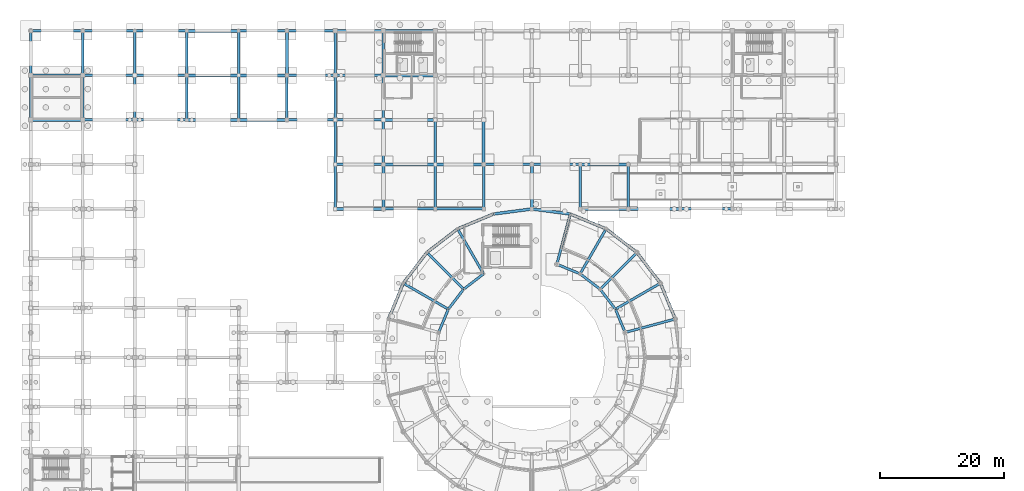
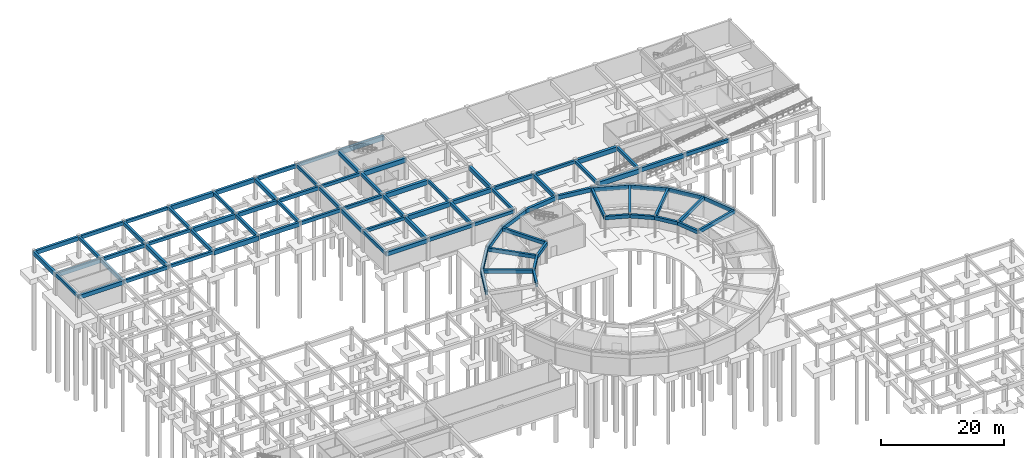
# One storey, part 26 of 43: 88 beams.
"""IFC4 building model written with IfcOpenShell, lengths in metres."""

import ifcopenshell
import ifcopenshell.guid

model = None  # the IFC model being written
_history = None  # IfcOwnerHistory: only IFC2X3 demands one
_inside = {}  # id of a spatial element -> (the spatial element, [elements in it])
_under = {}  # id of a project, library or spatial element -> (it, [spatial elements below it])
_declared = {}  # id of a project -> (the project, [libraries it declares])
_typed = {}  # id of a type object -> (the type object, [elements of that type])
_made_of = {}  # id of a material, layer set ... -> (it, [elements and type objects made of it])


def new_model(schema):
    """Start an empty IFC model of exactly this schema.

    Asked for "IFC4X3", IfcOpenShell would pick the latest addendum, in which some entities
    have other attributes; the version numbers below select the first issue.
    IFC2X3 requires an IfcOwnerHistory on every rooted entity: one is made here for all.
    """
    global model, _history
    if schema == "IFC4X3":
        model = ifcopenshell.file(schema_version=(4, 3, 0, 0))
    else:
        model = ifcopenshell.file(schema=schema)
    _inside.clear()
    _under.clear()
    _declared.clear()
    _typed.clear()
    _made_of.clear()
    _history = None
    if model.schema == "IFC2X3":
        org = make("IfcOrganization", Name="unknown")
        user = make(
            "IfcPersonAndOrganization",
            ThePerson=make("IfcPerson", FamilyName="unknown"),
            TheOrganization=org,
        )
        app = make(
            "IfcApplication",
            ApplicationDeveloper=org,
            Version="unknown",
            ApplicationFullName="unknown",
            ApplicationIdentifier="unknown",
        )
        _history = make(
            "IfcOwnerHistory",
            OwningUser=user,
            OwningApplication=app,
            ChangeAction="ADDED",
            CreationDate=0,
        )
    return model


def make(cls, **values):
    """One entity of the class cls with the attributes given. An attribute that is None is left unset."""
    return model.create_entity(
        cls, **{name: value for name, value in values.items() if value is not None}
    )


def rooted(cls, **values):
    """An entity with a GlobalId (a new one), such as an element, a storey or a relation."""
    return make(cls, GlobalId=ifcopenshell.guid.new(), OwnerHistory=_history, **values)


def si_unit(unit_type, name, prefix=None):
    """IfcSIUnit, for example si_unit("LENGTHUNIT", "METRE", prefix="MILLI")."""
    return make("IfcSIUnit", UnitType=unit_type, Prefix=prefix, Name=name)


def derived_unit(unit_type, elements):
    """IfcDerivedUnit: a product of units, each with its exponent."""
    return make(
        "IfcDerivedUnit",
        Elements=[
            make("IfcDerivedUnitElement", Unit=unit, Exponent=power)
            for unit, power in elements
        ],
        UnitType=unit_type,
    )


def assignment(units):
    """IfcUnitAssignment: the units of a project."""
    return None if units is None else make("IfcUnitAssignment", Units=units)


def point(xyz):
    """IfcCartesianPoint."""
    return None if xyz is None else make("IfcCartesianPoint", Coordinates=xyz)


def direction(xyz):
    """IfcDirection."""
    return None if xyz is None else make("IfcDirection", DirectionRatios=xyz)


def frame(location, z_axis=None, x_axis=None):
    """IfcAxis2Placement3D, a coordinate frame: its origin and axes. An axis left out is left unset."""
    return make(
        "IfcAxis2Placement3D",
        Location=point(location),
        Axis=direction(z_axis),
        RefDirection=direction(x_axis),
    )


def frame_2d(location, x_axis=None):
    """IfcAxis2Placement2D, a coordinate frame in the plane: its origin and x axis."""
    return make(
        "IfcAxis2Placement2D", Location=point(location), RefDirection=direction(x_axis)
    )


def origin():
    """The frame at (0, 0, 0) with its axes left unset."""
    return frame((0.0, 0.0, 0.0))


def origin_2d():
    """The frame at (0, 0) in the plane with its x axis left unset."""
    return frame_2d((0.0, 0.0))


def place(relative_to, where):
    """IfcLocalPlacement: puts the frame where relative to a parent placement (None: the world)."""
    return make(
        "IfcLocalPlacement", PlacementRelTo=relative_to, RelativePlacement=where
    )


def context(
    kind, dimensions, precision=None, world=None, true_north=None, identifier=None
):
    """IfcGeometricRepresentationContext, for example the 3D "Model" context."""
    return make(
        "IfcGeometricRepresentationContext",
        ContextIdentifier=identifier,
        ContextType=kind,
        CoordinateSpaceDimension=dimensions,
        Precision=precision,
        WorldCoordinateSystem=world,
        TrueNorth=true_north,
    )


def subcontext(parent, identifier, kind, view, scale=None):
    """IfcGeometricRepresentationSubContext, for example "Body" below "Model"."""
    return make(
        "IfcGeometricRepresentationSubContext",
        ContextIdentifier=identifier,
        ContextType=kind,
        ParentContext=parent,
        TargetScale=scale,
        TargetView=view,
    )


def project(units=None, contexts=None):
    """IfcProject with its units and contexts."""
    return rooted(
        "IfcProject",
        Name="project",
        RepresentationContexts=contexts,
        UnitsInContext=assignment(units),
    )


def spatial(cls, under=None, at=None, **own):
    """A site, building, storey or space (cls), placed at a placement, below another one or the project."""
    s = rooted(cls, ObjectPlacement=at, **own)
    if under is not None:
        _under.setdefault(under.id(), (under, []))[1].append(s)
    return s


def profile(cls, at=None, kind="AREA", **sizes):
    """A parametric profile (cls). Its sizes go by their IFC names, for example OverallWidth=200.0."""
    return make(cls, ProfileType=kind, Position=at, **sizes)


def rectangle(**sizes):
    """IfcRectangleProfileDef."""
    return profile("IfcRectangleProfileDef", **sizes)


def extrude(swept, where, along, depth):
    """IfcExtrudedAreaSolid: the profile swept, set in the frame where, extruded along a direction by depth."""
    return make(
        "IfcExtrudedAreaSolid",
        SweptArea=swept,
        Position=where,
        ExtrudedDirection=direction(along),
        Depth=depth,
    )


def shape(context_of_items, identifier, shape_type, items):
    """IfcShapeRepresentation: the items that make up one representation, for example the "Body"."""
    return make(
        "IfcShapeRepresentation",
        ContextOfItems=context_of_items,
        RepresentationIdentifier=identifier,
        RepresentationType=shape_type,
        Items=items,
    )


def material(Name=None, Category=None):
    """IfcMaterial."""
    return make("IfcMaterial", Name=Name, Category=Category)


def material_profile(
    of_material, cross_section, Name=None, Category=None, Priority=None
):
    """IfcMaterialProfile: a cross section and its material."""
    return make(
        "IfcMaterialProfile",
        Name=Name,
        Material=of_material,
        Profile=cross_section,
        Priority=Priority,
        Category=Category,
    )


def profile_set(profiles, Name=None, composite=None):
    """IfcMaterialProfileSet."""
    return make(
        "IfcMaterialProfileSet",
        Name=Name,
        MaterialProfiles=profiles,
        CompositeProfile=composite,
    )


def made_of(thing, what):
    """Note that an element or type object is made of a material, layer set ...; save() writes the relation."""
    if what is not None:
        _made_of.setdefault(what.id(), (what, []))[1].append(thing)
    return thing


def type_object(cls, material=None, **own):
    """A type object (cls), such as IfcWallType, which elements share."""
    return made_of(rooted(cls, **own), material)


def element(
    cls,
    number,
    at=None,
    inside=None,
    cuts=None,
    type_object=None,
    material=None,
    context=None,
    identifier="Body",
    shape_type=None,
    held_by="IfcProductDefinitionShape",
    body=None,
    shapes=None,
    **own,
):
    """One element of the class cls, such as IfcWall. Its Tag is "e" and its number.

    at: its placement. inside: the storey or other place that contains it. cuts: it is an
    opening in that element (IfcRelVoidsElement). A single representation is given by context,
    identifier, shape_type and body (its items); several are given by shapes. held_by: the class
    of the entity that holds the representations. save() writes the other relations.
    """
    e = rooted(cls, Tag="e%d" % number, ObjectPlacement=at, **own)
    if body is not None:
        shapes = [shape(context, identifier, shape_type, body)]
    if shapes is not None:
        e.Representation = make(held_by, Representations=shapes)
    if inside is not None:
        _inside.setdefault(inside.id(), (inside, []))[1].append(e)
    if cuts is not None:
        rooted(
            "IfcRelVoidsElement", RelatingBuildingElement=cuts, RelatedOpeningElement=e
        )
    if type_object is not None:
        _typed.setdefault(type_object.id(), (type_object, []))[1].append(e)
    return made_of(e, material)


def aggregate(whole, parts):
    """IfcRelAggregates: a whole, such as a stair, and the parts it consists of."""
    return rooted("IfcRelAggregates", RelatingObject=whole, RelatedObjects=parts)


def save(model, path):
    """Write the relations noted so far, then the file.

    IfcRelAggregates (storeys below a building ...), IfcRelContainedInSpatialStructure (elements
    in a storey), IfcRelDefinesByType, IfcRelAssociatesMaterial and IfcRelDeclares: one each for
    every whole, place, type object, material and project.
    """
    for whole, parts in _under.values():
        aggregate(whole, parts)
    for where, things in _inside.values():
        rooted(
            "IfcRelContainedInSpatialStructure",
            RelatedElements=things,
            RelatingStructure=where,
        )
    for kind, things in _typed.values():
        rooted("IfcRelDefinesByType", RelatedObjects=things, RelatingType=kind)
    for what, things in _made_of.values():
        rooted("IfcRelAssociatesMaterial", RelatedObjects=things, RelatingMaterial=what)
    for by, libraries in _declared.values():
        rooted("IfcRelDeclares", RelatingContext=by, RelatedDefinitions=libraries)
    model.write(path)


model = new_model("IFC4")

# Units and contexts
model_context = context("Model", 3, precision=1e-05, world=origin(), true_north=direction((0.0, 1.0)))
body_context = subcontext(model_context, "Body", "Model", "MODEL_VIEW")
ifc_project = project(units=[si_unit("LENGTHUNIT", "METRE"), si_unit("AREAUNIT", "SQUARE_METRE"), si_unit("VOLUMEUNIT", "CUBIC_METRE"), si_unit("PLANEANGLEUNIT", "RADIAN"), si_unit("MASSUNIT", "GRAM", prefix="KILO"), derived_unit("THERMALTRANSMITTANCEUNIT", [(si_unit("POWERUNIT", "WATT"), 1), (si_unit("AREAUNIT", "SQUARE_METRE"), -1), (si_unit("THERMODYNAMICTEMPERATUREUNIT", "KELVIN"), -1)])], contexts=[model_context])

# Site, building, storey
site_placement = place(None, origin())
site = spatial("IfcSite", under=ifc_project, at=site_placement, CompositionType="ELEMENT")
building_placement = place(site_placement, origin())
building = spatial("IfcBuilding", under=site, at=building_placement, Name="Yasenodar Specialist Clinic", CompositionType="ELEMENT")
storey_placement = place(building_placement, frame((0.0, 0.0, -4.5)))
storey = spatial("IfcBuildingStorey", under=building, at=storey_placement, Name="B1", CompositionType="ELEMENT", Elevation=-4.5)

# Beams
ifc_material = material(Name="Concrete C35/45", Category="concrete")
ifc_material_profile_1 = material_profile(ifc_material, rectangle(XDim=0.39990234375, YDim=0.60009765625, at=origin_2d()), Name="RC 400x600")
ifc_profile_set_1 = profile_set([ifc_material_profile_1], Name="Concrete C35/45")
beam_type_1 = type_object("IfcBeamType", Name="BM-RC-400x600", PredefinedType="BEAM", material=ifc_profile_set_1)
for number, where, z_axis, x_axis, name in (
    (1, (65.39990234375, 82.800048828125, 3.93505859375), (1.0, 0.0, 0.0), (0.0, 1.0, 0.0), "B1 Primary E-W Girder"),
    (2, (49.199951171875, 90.0, 3.93505859375), (1.0, 0.0, 0.0), (0.0, 1.0, 0.0), "B1 Primary E-W Girder"),
    (3, (81.0, 90.0, 3.93505859375), (1.0, 0.0, 0.0), (0.0, 1.0, 0.0), "B1 Primary E-W Girder"),
):
    element("IfcBeam", number, at=place(storey_placement, frame(where, z_axis=z_axis, x_axis=x_axis)), inside=storey, type_object=beam_type_1, Name=name, PredefinedType="BEAM", context=body_context, shape_type="SweptSolid", body=[
        extrude(rectangle(XDim=0.39990234375, YDim=0.60009765625, at=origin_2d()), origin(), (0.0, 0.0, 1.0), 7.800048828125),
    ])
beam_1_placement = place(storey_placement, frame((16.800048828125, 97.199951171875, 3.93505859375), z_axis=(1.0, 0.0, 0.0), x_axis=(0.0, 1.0, 0.0)))
element("IfcBeam", 4, at=beam_1_placement, inside=storey, type_object=beam_type_1, Name="B1 Primary E-W Girder", PredefinedType="BEAM", context=body_context, shape_type="SweptSolid", body=[
    extrude(rectangle(XDim=0.39990234375, YDim=0.60009765625, at=origin_2d()), origin(), (0.0, 0.0, 1.0), 8.39990234375),
])
beam_2_placement = place(storey_placement, frame((49.199951171875, 97.199951171875, 3.93505859375), z_axis=(1.0, 0.0, 0.0), x_axis=(0.0, 1.0, 0.0)))
element("IfcBeam", 5, at=beam_2_placement, inside=storey, type_object=beam_type_1, Name="B1 Primary E-W Girder", PredefinedType="BEAM", context=body_context, shape_type="SweptSolid", body=[
    extrude(rectangle(XDim=0.39990234375, YDim=0.60009765625, at=origin_2d()), origin(), (0.0, 0.0, 1.0), 7.800048828125),
])
beam_3_placement = place(storey_placement, frame((16.800048828125, 104.39990234375, 3.93505859375), z_axis=(1.0, 0.0, 0.0), x_axis=(0.0, 1.0, 0.0)))
element("IfcBeam", 6, at=beam_3_placement, inside=storey, type_object=beam_type_1, Name="B1 Primary E-W Girder", PredefinedType="BEAM", context=body_context, shape_type="SweptSolid", body=[
    extrude(rectangle(XDim=0.39990234375, YDim=0.60009765625, at=origin_2d()), origin(), (0.0, 0.0, 1.0), 8.39990234375),
])
beam_4_placement = place(storey_placement, frame((49.199951171875, 104.39990234375, 3.93505859375), z_axis=(1.0, 0.0, 0.0), x_axis=(0.0, 1.0, 0.0)))
element("IfcBeam", 7, at=beam_4_placement, inside=storey, type_object=beam_type_1, Name="B1 Primary E-W Girder", PredefinedType="BEAM", context=body_context, shape_type="SweptSolid", body=[
    extrude(rectangle(XDim=0.39990234375, YDim=0.60009765625, at=origin_2d()), origin(), (0.0, 0.0, 1.0), 7.800048828125),
])
beam_5_placement = place(storey_placement, frame((16.800048828125, 111.60009765625, 3.93505859375), z_axis=(1.0, 0.0, 0.0), x_axis=(0.0, 1.0, 0.0)))
element("IfcBeam", 8, at=beam_5_placement, inside=storey, type_object=beam_type_1, Name="B1 Primary E-W Girder", PredefinedType="BEAM", context=body_context, shape_type="SweptSolid", body=[
    extrude(rectangle(XDim=0.39990234375, YDim=0.60009765625, at=origin_2d()), origin(), (0.0, 0.0, 1.0), 8.39990234375),
])
beam_6_placement = place(storey_placement, frame((49.199951171875, 111.60009765625, 3.93505859375), z_axis=(1.0, 0.0, 0.0), x_axis=(0.0, 1.0, 0.0)))
element("IfcBeam", 9, at=beam_6_placement, inside=storey, type_object=beam_type_1, Name="B1 Primary E-W Girder", PredefinedType="BEAM", context=body_context, shape_type="SweptSolid", body=[
    extrude(rectangle(XDim=0.39990234375, YDim=0.60009765625, at=origin_2d()), origin(), (0.0, 0.0, 1.0), 7.800048828125),
])
beam_7_placement = place(storey_placement, frame((0.0, 97.199951171875, 3.93505859375), z_axis=(0.0, 1.0, 0.0), x_axis=(-1.0, 0.0, 0.0)))
element("IfcBeam", 10, at=beam_7_placement, inside=storey, type_object=beam_type_1, Name="B1 Primary N-S Girder", PredefinedType="BEAM", context=body_context, shape_type="SweptSolid", body=[
    extrude(rectangle(XDim=0.39990234375, YDim=0.60009765625, at=origin_2d()), origin(), (0.0, 0.0, 1.0), 7.199951171875),
])
for number, where, z_axis, x_axis, name in (
    (11, (8.39990234375, 104.39990234375, 3.93505859375), (0.0, 1.0, 0.0), (-1.0, 0.0, 0.0), "B1 Primary N-S Girder"),
    (12, (25.199951171875, 104.39990234375, 3.93505859375), (0.0, 1.0, 0.0), (-1.0, 0.0, 0.0), "B1 Primary N-S Girder"),
    (13, (33.60009765625, 104.39990234375, 3.93505859375), (0.0, 1.0, 0.0), (-1.0, 0.0, 0.0), "B1 Primary N-S Girder"),
):
    element("IfcBeam", number, at=place(storey_placement, frame(where, z_axis=z_axis, x_axis=x_axis)), inside=storey, type_object=beam_type_1, Name=name, PredefinedType="BEAM", context=body_context, shape_type="SweptSolid", body=[
        extrude(rectangle(XDim=0.39990234375, YDim=0.60009765625, at=origin_2d()), origin(), (0.0, 0.0, 1.0), 7.2001953125),
    ])
for number, where, z_axis, x_axis, name in (
    (14, (41.39990234375, 97.199951171875, 3.93505859375), (0.0, 1.0, 0.0), (-1.0, 0.0, 0.0), "B1 Primary N-S Girder"),
    (15, (49.199951171875, 82.800048828125, 3.93505859375), (0.0, 1.0, 0.0), (-1.0, 0.0, 0.0), "B1 Primary N-S Girder"),
):
    element("IfcBeam", number, at=place(storey_placement, frame(where, z_axis=z_axis, x_axis=x_axis)), inside=storey, type_object=beam_type_1, Name=name, PredefinedType="BEAM", context=body_context, shape_type="SweptSolid", body=[
        extrude(rectangle(XDim=0.39990234375, YDim=0.60009765625, at=origin_2d()), origin(), (0.0, 0.0, 1.0), 7.199951171875),
    ])
beam_8_placement = place(storey_placement, frame((49.199951171875, 104.39990234375, 3.93505859375), z_axis=(0.0, 1.0, 0.0), x_axis=(-1.0, 0.0, 0.0)))
element("IfcBeam", 16, at=beam_8_placement, inside=storey, type_object=beam_type_1, Name="B1 Primary N-S Girder", PredefinedType="BEAM", context=body_context, shape_type="SweptSolid", body=[
    extrude(rectangle(XDim=0.39990234375, YDim=0.60009765625, at=origin_2d()), origin(), (0.0, 0.0, 1.0), 7.2001953125),
])
for number, where, z_axis, x_axis, name in (
    (17, (57.0, 97.199951171875, 3.93505859375), (0.0, 1.0, 0.0), (-1.0, 0.0, 0.0), "B1 Primary N-S Girder"),
    (18, (65.39990234375, 90.0, 3.93505859375), (0.0, 1.0, 0.0), (-1.0, 0.0, 0.0), "B1 Primary N-S Girder"),
    (19, (73.199951171875, 82.800048828125, 3.93505859375), (0.0, 1.0, 0.0), (-1.0, 0.0, 0.0), "B1 Primary N-S Girder"),
    (20, (88.800048828125, 82.800048828125, 3.93505859375), (0.0, 1.0, 0.0), (-1.0, 0.0, 0.0), "B1 Primary N-S Girder"),
    (21, (96.60009765625, 82.800048828125, 3.93505859375), (0.0, 1.0, 0.0), (-1.0, 0.0, 0.0), "B1 Primary N-S Girder"),
):
    element("IfcBeam", number, at=place(storey_placement, frame(where, z_axis=z_axis, x_axis=x_axis)), inside=storey, type_object=beam_type_1, Name=name, PredefinedType="BEAM", context=body_context, shape_type="SweptSolid", body=[
        extrude(rectangle(XDim=0.39990234375, YDim=0.60009765625, at=origin_2d()), origin(), (0.0, 0.0, 1.0), 7.199951171875),
    ])
ifc_material_profile_2 = material_profile(ifc_material, rectangle(XDim=0.39990234375, YDim=0.699951171875, at=origin_2d()), Name="RC 400x700")
ifc_profile_set_2 = profile_set([ifc_material_profile_2], Name="Concrete C35/45")
beam_type_2 = type_object("IfcBeamType", Name="BM-RC-400x700", PredefinedType="BEAM", material=ifc_profile_set_2)
for number, where, z_axis, x_axis, name in (
    (22, (57.0, 82.800048828125, 3.885009765625), (1.0, 0.0, 0.0), (0.0, 1.0, 0.0), "B1 Primary E-W Girder"),
    (23, (105.0, 82.800048828125, 3.885009765625), (1.0, 0.0, 0.0), (0.0, 1.0, 0.0), "B1 Primary E-W Girder"),
):
    element("IfcBeam", number, at=place(storey_placement, frame(where, z_axis=z_axis, x_axis=x_axis)), inside=storey, type_object=beam_type_2, Name=name, PredefinedType="BEAM", context=body_context, shape_type="SweptSolid", body=[
        extrude(rectangle(XDim=0.39990234375, YDim=0.699951171875, at=origin_2d()), origin(), (0.0, 0.0, 1.0), 8.39990234375),
    ])
beam_9_placement = place(storey_placement, frame((73.199951171875, 90.0, 3.885009765625), z_axis=(1.0, 0.0, 0.0), x_axis=(0.0, 1.0, 0.0)))
element("IfcBeam", 24, at=beam_9_placement, inside=storey, type_object=beam_type_2, Name="B1 Primary E-W Girder", PredefinedType="BEAM", context=body_context, shape_type="SweptSolid", body=[
    extrude(rectangle(XDim=0.39990234375, YDim=0.699951171875, at=origin_2d()), origin(), (0.0, 0.0, 1.0), 7.800048828125),
])
beam_10_placement = place(storey_placement, frame((8.39990234375, 97.199951171875, 3.885009765625), z_axis=(1.0, 0.0, 0.0), x_axis=(0.0, 1.0, 0.0)))
element("IfcBeam", 25, at=beam_10_placement, inside=storey, type_object=beam_type_2, Name="B1 Primary E-W Girder", PredefinedType="BEAM", context=body_context, shape_type="SweptSolid", body=[
    extrude(rectangle(XDim=0.39990234375, YDim=0.699951171875, at=origin_2d()), origin(), (0.0, 0.0, 1.0), 8.400146484375),
])
beam_11_placement = place(storey_placement, frame((41.39990234375, 97.199951171875, 3.885009765625), z_axis=(1.0, 0.0, 0.0), x_axis=(0.0, 1.0, 0.0)))
element("IfcBeam", 26, at=beam_11_placement, inside=storey, type_object=beam_type_2, Name="B1 Primary E-W Girder", PredefinedType="BEAM", context=body_context, shape_type="SweptSolid", body=[
    extrude(rectangle(XDim=0.39990234375, YDim=0.699951171875, at=origin_2d()), origin(), (0.0, 0.0, 1.0), 7.800048828125),
])
beam_12_placement = place(storey_placement, frame((8.39990234375, 104.39990234375, 3.885009765625), z_axis=(1.0, 0.0, 0.0), x_axis=(0.0, 1.0, 0.0)))
element("IfcBeam", 27, at=beam_12_placement, inside=storey, type_object=beam_type_2, Name="B1 Primary E-W Girder", PredefinedType="BEAM", context=body_context, shape_type="SweptSolid", body=[
    extrude(rectangle(XDim=0.39990234375, YDim=0.699951171875, at=origin_2d()), origin(), (0.0, 0.0, 1.0), 8.400146484375),
])
beam_13_placement = place(storey_placement, frame((41.39990234375, 104.39990234375, 3.885009765625), z_axis=(1.0, 0.0, 0.0), x_axis=(0.0, 1.0, 0.0)))
element("IfcBeam", 28, at=beam_13_placement, inside=storey, type_object=beam_type_2, Name="B1 Primary E-W Girder", PredefinedType="BEAM", context=body_context, shape_type="SweptSolid", body=[
    extrude(rectangle(XDim=0.39990234375, YDim=0.699951171875, at=origin_2d()), origin(), (0.0, 0.0, 1.0), 7.800048828125),
])
beam_14_placement = place(storey_placement, frame((8.39990234375, 111.60009765625, 3.885009765625), z_axis=(1.0, 0.0, 0.0), x_axis=(0.0, 1.0, 0.0)))
element("IfcBeam", 29, at=beam_14_placement, inside=storey, type_object=beam_type_2, Name="B1 Primary E-W Girder", PredefinedType="BEAM", context=body_context, shape_type="SweptSolid", body=[
    extrude(rectangle(XDim=0.39990234375, YDim=0.699951171875, at=origin_2d()), origin(), (0.0, 0.0, 1.0), 8.400146484375),
])
beam_15_placement = place(storey_placement, frame((41.39990234375, 111.60009765625, 3.885009765625), z_axis=(1.0, 0.0, 0.0), x_axis=(0.0, 1.0, 0.0)))
element("IfcBeam", 30, at=beam_15_placement, inside=storey, type_object=beam_type_2, Name="B1 Primary E-W Girder", PredefinedType="BEAM", context=body_context, shape_type="SweptSolid", body=[
    extrude(rectangle(XDim=0.39990234375, YDim=0.699951171875, at=origin_2d()), origin(), (0.0, 0.0, 1.0), 7.800048828125),
])
beam_16_placement = place(storey_placement, frame((8.39990234375, 97.199951171875, 3.885009765625), z_axis=(0.0, 1.0, 0.0), x_axis=(-1.0, 0.0, 0.0)))
element("IfcBeam", 31, at=beam_16_placement, inside=storey, type_object=beam_type_2, Name="B1 Primary N-S Girder", PredefinedType="BEAM", context=body_context, shape_type="SweptSolid", body=[
    extrude(rectangle(XDim=0.39990234375, YDim=0.699951171875, at=origin_2d()), origin(), (0.0, 0.0, 1.0), 7.199951171875),
])
beam_17_placement = place(storey_placement, frame((16.800048828125, 104.39990234375, 3.885009765625), z_axis=(0.0, 1.0, 0.0), x_axis=(-1.0, 0.0, 0.0)))
element("IfcBeam", 32, at=beam_17_placement, inside=storey, type_object=beam_type_2, Name="B1 Primary N-S Girder", PredefinedType="BEAM", context=body_context, shape_type="SweptSolid", body=[
    extrude(rectangle(XDim=0.39990234375, YDim=0.699951171875, at=origin_2d()), origin(), (0.0, 0.0, 1.0), 7.2001953125),
])
for number, where, z_axis, x_axis, name in (
    (33, (25.199951171875, 97.199951171875, 3.885009765625), (0.0, 1.0, 0.0), (-1.0, 0.0, 0.0), "B1 Primary N-S Girder"),
    (34, (33.60009765625, 97.199951171875, 3.885009765625), (0.0, 1.0, 0.0), (-1.0, 0.0, 0.0), "B1 Primary N-S Girder"),
    (35, (49.199951171875, 97.199951171875, 3.885009765625), (0.0, 1.0, 0.0), (-1.0, 0.0, 0.0), "B1 Primary N-S Girder"),
    (36, (57.0, 90.0, 3.885009765625), (0.0, 1.0, 0.0), (-1.0, 0.0, 0.0), "B1 Primary N-S Girder"),
    (37, (65.39990234375, 82.800048828125, 3.885009765625), (0.0, 1.0, 0.0), (-1.0, 0.0, 0.0), "B1 Primary N-S Girder"),
):
    element("IfcBeam", number, at=place(storey_placement, frame(where, z_axis=z_axis, x_axis=x_axis)), inside=storey, type_object=beam_type_2, Name=name, PredefinedType="BEAM", context=body_context, shape_type="SweptSolid", body=[
        extrude(rectangle(XDim=0.39990234375, YDim=0.699951171875, at=origin_2d()), origin(), (0.0, 0.0, 1.0), 7.199951171875),
    ])
beam_18_placement = place(storey_placement, frame((96.068359375, 62.837646484375, 3.885009765625), z_axis=(-0.382660650645, 0.92388896868, 0.0), x_axis=(-0.92388896868, -0.382660650645, 0.0)))
element("IfcBeam", 38, at=beam_18_placement, inside=storey, type_object=beam_type_2, Name="B1 Drum V1 Inner Ring Beam", PredefinedType="BEAM", context=body_context, shape_type="SweptSolid", body=[
    extrude(rectangle(XDim=0.39990234375, YDim=0.699951171875, at=origin_2d()), origin(), (0.0, 0.0, 1.0), 4.072509765625),
])
beam_19_placement = place(storey_placement, frame((94.510009765625, 66.60009765625, 3.885009765625), z_axis=(-0.60875999388, 0.793354441502, 0.0), x_axis=(-0.793354441502, -0.60875999388, 0.0)))
element("IfcBeam", 39, at=beam_19_placement, inside=storey, type_object=beam_type_2, Name="B1 Drum V1 Inner Ring Beam", PredefinedType="BEAM", context=body_context, shape_type="SweptSolid", body=[
    extrude(rectangle(XDim=0.39990234375, YDim=0.699951171875, at=origin_2d()), origin(), (0.0, 0.0, 1.0), 4.072265625),
])
for number, where, z_axis, x_axis, name in (
    (40, (92.031005859375, 69.830810546875, 3.885009765625), (-0.793347704909, 0.608768773111, 0.0), (-0.608768773111, -0.793347704909, 0.0), "B1 Drum V1 Inner Ring Beam"),
    (41, (88.800048828125, 72.31005859375, 3.885009765625), (-0.92388896868, 0.382660650645, 0.0), (-0.382660650645, -0.92388896868, 0.0), "B1 Drum V1 Inner Ring Beam"),
    (42, (73.199951171875, 72.31005859375, 3.885009765625), (-0.793347704909, -0.608768773111, 0.0), (0.608768773111, -0.793347704909, 0.0), "B1 Drum V1 Inner Ring Beam"),
):
    element("IfcBeam", number, at=place(storey_placement, frame(where, z_axis=z_axis, x_axis=x_axis)), inside=storey, type_object=beam_type_2, Name=name, PredefinedType="BEAM", context=body_context, shape_type="SweptSolid", body=[
        extrude(rectangle(XDim=0.39990234375, YDim=0.699951171875, at=origin_2d()), origin(), (0.0, 0.0, 1.0), 4.072509765625),
    ])
beam_20_placement = place(storey_placement, frame((69.968994140625, 69.830810546875, 3.885009765625), z_axis=(-0.60875999388, -0.793354441502, 0.0), x_axis=(0.793354441502, -0.60875999388, 0.0)))
element("IfcBeam", 43, at=beam_20_placement, inside=storey, type_object=beam_type_2, Name="B1 Drum V1 Inner Ring Beam", PredefinedType="BEAM", context=body_context, shape_type="SweptSolid", body=[
    extrude(rectangle(XDim=0.39990234375, YDim=0.699951171875, at=origin_2d()), origin(), (0.0, 0.0, 1.0), 4.072265625),
])
beam_21_placement = place(storey_placement, frame((67.489990234375, 66.60009765625, 3.885009765625), z_axis=(-0.382660650645, -0.92388896868, 0.0), x_axis=(0.92388896868, -0.382660650645, 0.0)))
element("IfcBeam", 44, at=beam_21_placement, inside=storey, type_object=beam_type_2, Name="B1 Drum V1 Inner Ring Beam", PredefinedType="BEAM", context=body_context, shape_type="SweptSolid", body=[
    extrude(rectangle(XDim=0.39990234375, YDim=0.699951171875, at=origin_2d()), origin(), (0.0, 0.0, 1.0), 4.072509765625),
])
for number, where, z_axis, x_axis, name in (
    (45, (96.068359375, 62.837646484375, 3.885009765625), (0.965925996761, 0.258818408893, 0.0), (-0.258818408893, 0.965925996761, 0.0), "B1 Drum V1 Radial Beam"),
    (46, (94.510009765625, 66.60009765625, 3.885009765625), (0.86602925447, 0.499993330357, 0.0), (-0.499993330357, 0.86602925447, 0.0), "B1 Drum V1 Radial Beam"),
    (47, (92.031005859375, 69.830810546875, 3.885009765625), (0.707106781187, 0.707106781187, 0.0), (-0.707106781187, 0.707106781187, 0.0), "B1 Drum V1 Radial Beam"),
    (48, (88.800048828125, 72.31005859375, 3.885009765625), (0.499993330357, 0.86602925447, 0.0), (-0.86602925447, 0.499993330357, 0.0), "B1 Drum V1 Radial Beam"),
    (49, (85.03759765625, 73.868408203125, 3.885009765625), (0.258818408893, 0.965925996761, 0.0), (-0.965925996761, 0.258818408893, 0.0), "B1 Drum V1 Radial Beam"),
    (50, (73.199951171875, 72.31005859375, 3.885009765625), (-0.499993330357, 0.86602925447, 0.0), (-0.86602925447, -0.499993330357, 0.0), "B1 Drum V1 Radial Beam"),
    (51, (69.968994140625, 69.830810546875, 3.885009765625), (-0.707106781187, 0.707106781187, 0.0), (-0.707106781187, -0.707106781187, 0.0), "B1 Drum V1 Radial Beam"),
    (52, (67.489990234375, 66.60009765625, 3.885009765625), (-0.86602925447, 0.499993330357, 0.0), (-0.499993330357, -0.86602925447, 0.0), "B1 Drum V1 Radial Beam"),
):
    element("IfcBeam", number, at=place(storey_placement, frame(where, z_axis=z_axis, x_axis=x_axis)), inside=storey, type_object=beam_type_2, Name=name, PredefinedType="BEAM", context=body_context, shape_type="SweptSolid", body=[
        extrude(rectangle(XDim=0.39990234375, YDim=0.699951171875, at=origin_2d()), origin(), (0.0, 0.0, 1.0), 8.39990234375),
    ])
ifc_material_profile_3 = material_profile(ifc_material, rectangle(XDim=0.449951171875, YDim=0.800048828125, at=origin_2d()), Name="RC 450x800")
ifc_profile_set_3 = profile_set([ifc_material_profile_3], Name="Concrete C35/45")
beam_type_3 = type_object("IfcBeamType", Name="BM-RC-450x800", PredefinedType="BEAM", material=ifc_profile_set_3)
beam_22_placement = place(storey_placement, frame((49.199951171875, 82.800048828125, 3.8349609375), z_axis=(1.0, 0.0, 0.0), x_axis=(0.0, 1.0, 0.0)))
element("IfcBeam", 53, at=beam_22_placement, inside=storey, type_object=beam_type_3, Name="B1 Primary E-W Girder", PredefinedType="BEAM", context=body_context, shape_type="SweptSolid", body=[
    extrude(rectangle(XDim=0.449951171875, YDim=0.800048828125, at=origin_2d()), origin(), (0.0, 0.0, 1.0), 7.800048828125),
])
beam_23_placement = place(storey_placement, frame((96.60009765625, 82.800048828125, 3.8349609375), z_axis=(1.0, 0.0, 0.0), x_axis=(0.0, 1.0, 0.0)))
element("IfcBeam", 54, at=beam_23_placement, inside=storey, type_object=beam_type_3, Name="B1 Primary E-W Girder", PredefinedType="BEAM", context=body_context, shape_type="SweptSolid", body=[
    extrude(rectangle(XDim=0.449951171875, YDim=0.800048828125, at=origin_2d()), origin(), (0.0, 0.0, 1.0), 8.39990234375),
])
beam_24_placement = place(storey_placement, frame((65.39990234375, 90.0, 3.8349609375), z_axis=(1.0, 0.0, 0.0), x_axis=(0.0, 1.0, 0.0)))
element("IfcBeam", 55, at=beam_24_placement, inside=storey, type_object=beam_type_3, Name="B1 Primary E-W Girder", PredefinedType="BEAM", context=body_context, shape_type="SweptSolid", body=[
    extrude(rectangle(XDim=0.449951171875, YDim=0.800048828125, at=origin_2d()), origin(), (0.0, 0.0, 1.0), 7.800048828125),
])
beam_25_placement = place(storey_placement, frame((0.0, 97.199951171875, 3.8349609375), z_axis=(1.0, 0.0, 0.0), x_axis=(0.0, 1.0, 0.0)))
element("IfcBeam", 56, at=beam_25_placement, inside=storey, type_object=beam_type_3, Name="B1 Primary E-W Girder", PredefinedType="BEAM", context=body_context, shape_type="SweptSolid", body=[
    extrude(rectangle(XDim=0.449951171875, YDim=0.800048828125, at=origin_2d()), origin(), (0.0, 0.0, 1.0), 8.39990234375),
])
beam_26_placement = place(storey_placement, frame((33.60009765625, 97.199951171875, 3.8349609375), z_axis=(1.0, 0.0, 0.0), x_axis=(0.0, 1.0, 0.0)))
element("IfcBeam", 57, at=beam_26_placement, inside=storey, type_object=beam_type_3, Name="B1 Primary E-W Girder", PredefinedType="BEAM", context=body_context, shape_type="SweptSolid", body=[
    extrude(rectangle(XDim=0.449951171875, YDim=0.800048828125, at=origin_2d()), origin(), (0.0, 0.0, 1.0), 7.7998046875),
])
beam_27_placement = place(storey_placement, frame((0.0, 104.39990234375, 3.8349609375), z_axis=(1.0, 0.0, 0.0), x_axis=(0.0, 1.0, 0.0)))
element("IfcBeam", 58, at=beam_27_placement, inside=storey, type_object=beam_type_3, Name="B1 Primary E-W Girder", PredefinedType="BEAM", context=body_context, shape_type="SweptSolid", body=[
    extrude(rectangle(XDim=0.449951171875, YDim=0.800048828125, at=origin_2d()), origin(), (0.0, 0.0, 1.0), 8.39990234375),
])
beam_28_placement = place(storey_placement, frame((33.60009765625, 104.39990234375, 3.8349609375), z_axis=(1.0, 0.0, 0.0), x_axis=(0.0, 1.0, 0.0)))
element("IfcBeam", 59, at=beam_28_placement, inside=storey, type_object=beam_type_3, Name="B1 Primary E-W Girder", PredefinedType="BEAM", context=body_context, shape_type="SweptSolid", body=[
    extrude(rectangle(XDim=0.449951171875, YDim=0.800048828125, at=origin_2d()), origin(), (0.0, 0.0, 1.0), 7.7998046875),
])
beam_29_placement = place(storey_placement, frame((0.0, 111.60009765625, 3.8349609375), z_axis=(1.0, 0.0, 0.0), x_axis=(0.0, 1.0, 0.0)))
element("IfcBeam", 60, at=beam_29_placement, inside=storey, type_object=beam_type_3, Name="B1 Primary E-W Girder", PredefinedType="BEAM", context=body_context, shape_type="SweptSolid", body=[
    extrude(rectangle(XDim=0.449951171875, YDim=0.800048828125, at=origin_2d()), origin(), (0.0, 0.0, 1.0), 8.39990234375),
])
beam_30_placement = place(storey_placement, frame((33.60009765625, 111.60009765625, 3.8349609375), z_axis=(1.0, 0.0, 0.0), x_axis=(0.0, 1.0, 0.0)))
element("IfcBeam", 61, at=beam_30_placement, inside=storey, type_object=beam_type_3, Name="B1 Primary E-W Girder", PredefinedType="BEAM", context=body_context, shape_type="SweptSolid", body=[
    extrude(rectangle(XDim=0.449951171875, YDim=0.800048828125, at=origin_2d()), origin(), (0.0, 0.0, 1.0), 7.7998046875),
])
beam_31_placement = place(storey_placement, frame((0.0, 104.39990234375, 3.8349609375), z_axis=(0.0, 1.0, 0.0), x_axis=(-1.0, 0.0, 0.0)))
element("IfcBeam", 62, at=beam_31_placement, inside=storey, type_object=beam_type_3, Name="B1 Primary N-S Girder", PredefinedType="BEAM", context=body_context, shape_type="SweptSolid", body=[
    extrude(rectangle(XDim=0.449951171875, YDim=0.800048828125, at=origin_2d()), origin(), (0.0, 0.0, 1.0), 7.2001953125),
])
beam_32_placement = place(storey_placement, frame((16.800048828125, 97.199951171875, 3.8349609375), z_axis=(0.0, 1.0, 0.0), x_axis=(-1.0, 0.0, 0.0)))
element("IfcBeam", 63, at=beam_32_placement, inside=storey, type_object=beam_type_3, Name="B1 Primary N-S Girder", PredefinedType="BEAM", context=body_context, shape_type="SweptSolid", body=[
    extrude(rectangle(XDim=0.449951171875, YDim=0.800048828125, at=origin_2d()), origin(), (0.0, 0.0, 1.0), 7.199951171875),
])
beam_33_placement = place(storey_placement, frame((41.39990234375, 104.39990234375, 3.8349609375), z_axis=(0.0, 1.0, 0.0), x_axis=(-1.0, 0.0, 0.0)))
element("IfcBeam", 64, at=beam_33_placement, inside=storey, type_object=beam_type_3, Name="B1 Primary N-S Girder", PredefinedType="BEAM", context=body_context, shape_type="SweptSolid", body=[
    extrude(rectangle(XDim=0.449951171875, YDim=0.800048828125, at=origin_2d()), origin(), (0.0, 0.0, 1.0), 7.2001953125),
])
for number, where, z_axis, x_axis, name in (
    (65, (49.199951171875, 90.0, 3.8349609375), (0.0, 1.0, 0.0), (-1.0, 0.0, 0.0), "B1 Primary N-S Girder"),
    (66, (57.0, 82.800048828125, 3.8349609375), (0.0, 1.0, 0.0), (-1.0, 0.0, 0.0), "B1 Primary N-S Girder"),
):
    element("IfcBeam", number, at=place(storey_placement, frame(where, z_axis=z_axis, x_axis=x_axis)), inside=storey, type_object=beam_type_3, Name=name, PredefinedType="BEAM", context=body_context, shape_type="SweptSolid", body=[
        extrude(rectangle(XDim=0.449951171875, YDim=0.800048828125, at=origin_2d()), origin(), (0.0, 0.0, 1.0), 7.199951171875),
    ])
beam_34_placement = place(storey_placement, frame((57.0, 104.39990234375, 3.8349609375), z_axis=(0.0, 1.0, 0.0), x_axis=(-1.0, 0.0, 0.0)))
element("IfcBeam", 67, at=beam_34_placement, inside=storey, type_object=beam_type_3, Name="B1 Primary N-S Girder", PredefinedType="BEAM", context=body_context, shape_type="SweptSolid", body=[
    extrude(rectangle(XDim=0.449951171875, YDim=0.800048828125, at=origin_2d()), origin(), (0.0, 0.0, 1.0), 7.2001953125),
])
for number, where, z_axis, x_axis, name in (
    (68, (73.199951171875, 90.0, 3.8349609375), (0.0, 1.0, 0.0), (-1.0, 0.0, 0.0), "B1 Primary N-S Girder"),
    (69, (81.0, 82.800048828125, 3.8349609375), (0.0, 1.0, 0.0), (-1.0, 0.0, 0.0), "B1 Primary N-S Girder"),
):
    element("IfcBeam", number, at=place(storey_placement, frame(where, z_axis=z_axis, x_axis=x_axis)), inside=storey, type_object=beam_type_3, Name=name, PredefinedType="BEAM", context=body_context, shape_type="SweptSolid", body=[
        extrude(rectangle(XDim=0.449951171875, YDim=0.800048828125, at=origin_2d()), origin(), (0.0, 0.0, 1.0), 7.199951171875),
    ])
for number, where, z_axis, x_axis, name in (
    (70, (104.18212890625, 65.01171875, 3.8349609375), (-0.382663829839, 0.9238876519, 0.0), (-0.9238876519, -0.382663829839, 0.0), "B1 Drum V1 Perimeter Ring Beam"),
    (71, (101.78466796875, 70.800048828125, 3.8349609375), (-0.608761180103, 0.793353531283, 0.0), (-0.793353531283, -0.608761180103, 0.0), "B1 Drum V1 Perimeter Ring Beam"),
):
    element("IfcBeam", number, at=place(storey_placement, frame(where, z_axis=z_axis, x_axis=x_axis)), inside=storey, type_object=beam_type_3, Name=name, PredefinedType="BEAM", context=body_context, shape_type="SweptSolid", body=[
        extrude(rectangle(XDim=0.449951171875, YDim=0.800048828125, at=origin_2d()), origin(), (0.0, 0.0, 1.0), 6.26513671875),
    ])
beam_35_placement = place(storey_placement, frame((97.970703125, 75.7705078125, 3.8349609375), z_axis=(-0.793349152542, 0.608766886551, 0.0), x_axis=(-0.608766886551, -0.793349152542, 0.0)))
element("IfcBeam", 72, at=beam_35_placement, inside=storey, type_object=beam_type_3, Name="B1 Drum V1 Perimeter Ring Beam", PredefinedType="BEAM", context=body_context, shape_type="SweptSolid", body=[
    extrude(rectangle(XDim=0.449951171875, YDim=0.800048828125, at=origin_2d()), origin(), (0.0, 0.0, 1.0), 6.265380859375),
])
beam_36_placement = place(storey_placement, frame((93.0, 79.584716796875, 3.8349609375), z_axis=(-0.9238876519, 0.382663829839, 0.0), x_axis=(-0.382663829839, -0.9238876519, 0.0)))
element("IfcBeam", 73, at=beam_36_placement, inside=storey, type_object=beam_type_3, Name="B1 Drum V1 Perimeter Ring Beam", PredefinedType="BEAM", context=body_context, shape_type="SweptSolid", body=[
    extrude(rectangle(XDim=0.449951171875, YDim=0.800048828125, at=origin_2d()), origin(), (0.0, 0.0, 1.0), 6.26513671875),
])
for number, where, z_axis, x_axis, name in (
    (74, (87.211669921875, 81.982177734375, 3.8349609375), (-0.991443018138, 0.130540192224, 0.0), (-0.130540192224, -0.991443018138, 0.0), "B1 Drum V1 Perimeter Ring Beam"),
    (75, (81.0, 82.800048828125, 3.8349609375), (-0.991443018138, -0.130540192224, 0.0), (0.130540192224, -0.991443018138, 0.0), "B1 Drum V1 Perimeter Ring Beam"),
):
    element("IfcBeam", number, at=place(storey_placement, frame(where, z_axis=z_axis, x_axis=x_axis)), inside=storey, type_object=beam_type_3, Name=name, PredefinedType="BEAM", context=body_context, shape_type="SweptSolid", body=[
        extrude(rectangle(XDim=0.449951171875, YDim=0.800048828125, at=origin_2d()), origin(), (0.0, 0.0, 1.0), 6.265380859375),
    ])
beam_37_placement = place(storey_placement, frame((74.788330078125, 81.982177734375, 3.8349609375), z_axis=(-0.9238876519, -0.382663829839, 0.0), x_axis=(0.382663829839, -0.9238876519, 0.0)))
element("IfcBeam", 76, at=beam_37_placement, inside=storey, type_object=beam_type_3, Name="B1 Drum V1 Perimeter Ring Beam", PredefinedType="BEAM", context=body_context, shape_type="SweptSolid", body=[
    extrude(rectangle(XDim=0.449951171875, YDim=0.800048828125, at=origin_2d()), origin(), (0.0, 0.0, 1.0), 6.26513671875),
])
beam_38_placement = place(storey_placement, frame((69.0, 79.584716796875, 3.8349609375), z_axis=(-0.793349152542, -0.608766886551, 0.0), x_axis=(0.608766886551, -0.793349152542, 0.0)))
element("IfcBeam", 77, at=beam_38_placement, inside=storey, type_object=beam_type_3, Name="B1 Drum V1 Perimeter Ring Beam", PredefinedType="BEAM", context=body_context, shape_type="SweptSolid", body=[
    extrude(rectangle(XDim=0.449951171875, YDim=0.800048828125, at=origin_2d()), origin(), (0.0, 0.0, 1.0), 6.265380859375),
])
for number, where, z_axis, x_axis, name in (
    (78, (64.029296875, 75.7705078125, 3.8349609375), (-0.608761180103, -0.793353531283, 0.0), (0.793353531283, -0.608761180103, 0.0), "B1 Drum V1 Perimeter Ring Beam"),
    (79, (60.21533203125, 70.800048828125, 3.8349609375), (-0.382663829839, -0.9238876519, 0.0), (0.9238876519, -0.382663829839, 0.0), "B1 Drum V1 Perimeter Ring Beam"),
):
    element("IfcBeam", number, at=place(storey_placement, frame(where, z_axis=z_axis, x_axis=x_axis)), inside=storey, type_object=beam_type_3, Name=name, PredefinedType="BEAM", context=body_context, shape_type="SweptSolid", body=[
        extrude(rectangle(XDim=0.449951171875, YDim=0.800048828125, at=origin_2d()), origin(), (0.0, 0.0, 1.0), 6.26513671875),
    ])
ifc_material_profile_4 = material_profile(ifc_material, rectangle(XDim=0.5, YDim=0.89990234375, at=origin_2d()), Name="RC 500x900")
ifc_profile_set_4 = profile_set([ifc_material_profile_4], Name="Concrete C35/45")
beam_type_4 = type_object("IfcBeamType", Name="BM-RC-500x900", PredefinedType="BEAM", material=ifc_profile_set_4)
beam_39_placement = place(storey_placement, frame((88.800048828125, 82.800048828125, 3.784912109375), z_axis=(1.0, 0.0, 0.0), x_axis=(0.0, 1.0, 0.0)))
element("IfcBeam", 80, at=beam_39_placement, inside=storey, type_object=beam_type_4, Name="B1 Primary E-W Girder", PredefinedType="BEAM", context=body_context, shape_type="SweptSolid", body=[
    extrude(rectangle(XDim=0.5, YDim=0.89990234375, at=origin_2d()), origin(), (0.0, 0.0, 1.0), 7.800048828125),
])
beam_40_placement = place(storey_placement, frame((57.0, 90.0, 3.784912109375), z_axis=(1.0, 0.0, 0.0), x_axis=(0.0, 1.0, 0.0)))
element("IfcBeam", 81, at=beam_40_placement, inside=storey, type_object=beam_type_4, Name="B1 Primary E-W Girder", PredefinedType="BEAM", context=body_context, shape_type="SweptSolid", body=[
    extrude(rectangle(XDim=0.5, YDim=0.89990234375, at=origin_2d()), origin(), (0.0, 0.0, 1.0), 8.39990234375),
])
beam_41_placement = place(storey_placement, frame((88.800048828125, 90.0, 3.784912109375), z_axis=(1.0, 0.0, 0.0), x_axis=(0.0, 1.0, 0.0)))
element("IfcBeam", 82, at=beam_41_placement, inside=storey, type_object=beam_type_4, Name="B1 Primary E-W Girder", PredefinedType="BEAM", context=body_context, shape_type="SweptSolid", body=[
    extrude(rectangle(XDim=0.5, YDim=0.89990234375, at=origin_2d()), origin(), (0.0, 0.0, 1.0), 7.800048828125),
])
beam_42_placement = place(storey_placement, frame((25.199951171875, 97.199951171875, 3.784912109375), z_axis=(1.0, 0.0, 0.0), x_axis=(0.0, 1.0, 0.0)))
element("IfcBeam", 83, at=beam_42_placement, inside=storey, type_object=beam_type_4, Name="B1 Primary E-W Girder", PredefinedType="BEAM", context=body_context, shape_type="SweptSolid", body=[
    extrude(rectangle(XDim=0.5, YDim=0.89990234375, at=origin_2d()), origin(), (0.0, 0.0, 1.0), 8.400146484375),
])
beam_43_placement = place(storey_placement, frame((57.0, 97.199951171875, 3.784912109375), z_axis=(1.0, 0.0, 0.0), x_axis=(0.0, 1.0, 0.0)))
element("IfcBeam", 84, at=beam_43_placement, inside=storey, type_object=beam_type_4, Name="B1 Primary E-W Girder", PredefinedType="BEAM", context=body_context, shape_type="SweptSolid", body=[
    extrude(rectangle(XDim=0.5, YDim=0.89990234375, at=origin_2d()), origin(), (0.0, 0.0, 1.0), 8.39990234375),
])
beam_44_placement = place(storey_placement, frame((25.199951171875, 104.39990234375, 3.784912109375), z_axis=(1.0, 0.0, 0.0), x_axis=(0.0, 1.0, 0.0)))
element("IfcBeam", 85, at=beam_44_placement, inside=storey, type_object=beam_type_4, Name="B1 Primary E-W Girder", PredefinedType="BEAM", context=body_context, shape_type="SweptSolid", body=[
    extrude(rectangle(XDim=0.5, YDim=0.89990234375, at=origin_2d()), origin(), (0.0, 0.0, 1.0), 8.400146484375),
])
beam_45_placement = place(storey_placement, frame((57.0, 104.39990234375, 3.784912109375), z_axis=(1.0, 0.0, 0.0), x_axis=(0.0, 1.0, 0.0)))
element("IfcBeam", 86, at=beam_45_placement, inside=storey, type_object=beam_type_4, Name="B1 Primary E-W Girder", PredefinedType="BEAM", context=body_context, shape_type="SweptSolid", body=[
    extrude(rectangle(XDim=0.5, YDim=0.89990234375, at=origin_2d()), origin(), (0.0, 0.0, 1.0), 8.39990234375),
])
beam_46_placement = place(storey_placement, frame((25.199951171875, 111.60009765625, 3.784912109375), z_axis=(1.0, 0.0, 0.0), x_axis=(0.0, 1.0, 0.0)))
element("IfcBeam", 87, at=beam_46_placement, inside=storey, type_object=beam_type_4, Name="B1 Primary E-W Girder", PredefinedType="BEAM", context=body_context, shape_type="SweptSolid", body=[
    extrude(rectangle(XDim=0.5, YDim=0.89990234375, at=origin_2d()), origin(), (0.0, 0.0, 1.0), 8.400146484375),
])
beam_47_placement = place(storey_placement, frame((57.0, 111.60009765625, 3.784912109375), z_axis=(1.0, 0.0, 0.0), x_axis=(0.0, 1.0, 0.0)))
element("IfcBeam", 88, at=beam_47_placement, inside=storey, type_object=beam_type_4, Name="B1 Primary E-W Girder", PredefinedType="BEAM", context=body_context, shape_type="SweptSolid", body=[
    extrude(rectangle(XDim=0.5, YDim=0.89990234375, at=origin_2d()), origin(), (0.0, 0.0, 1.0), 8.39990234375),
])

save(model, "model.ifc")
